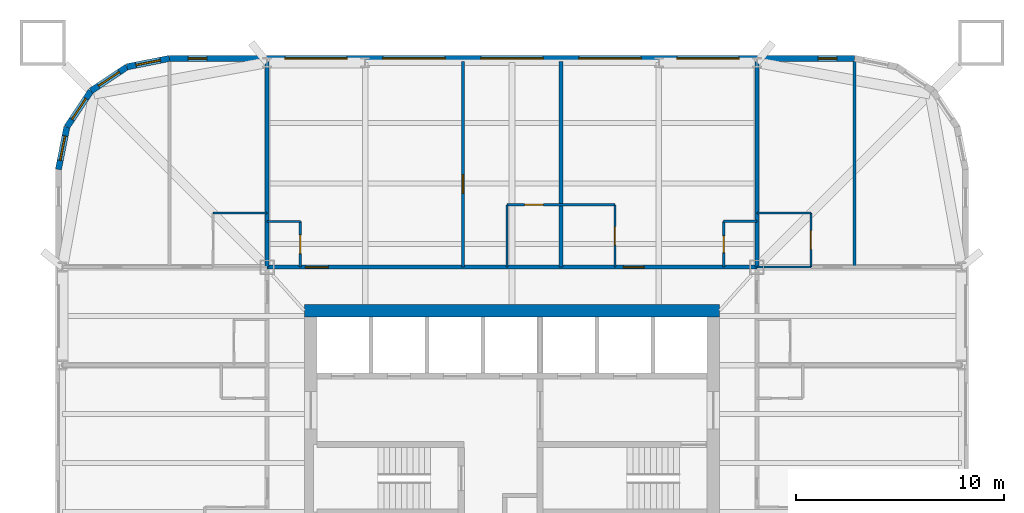
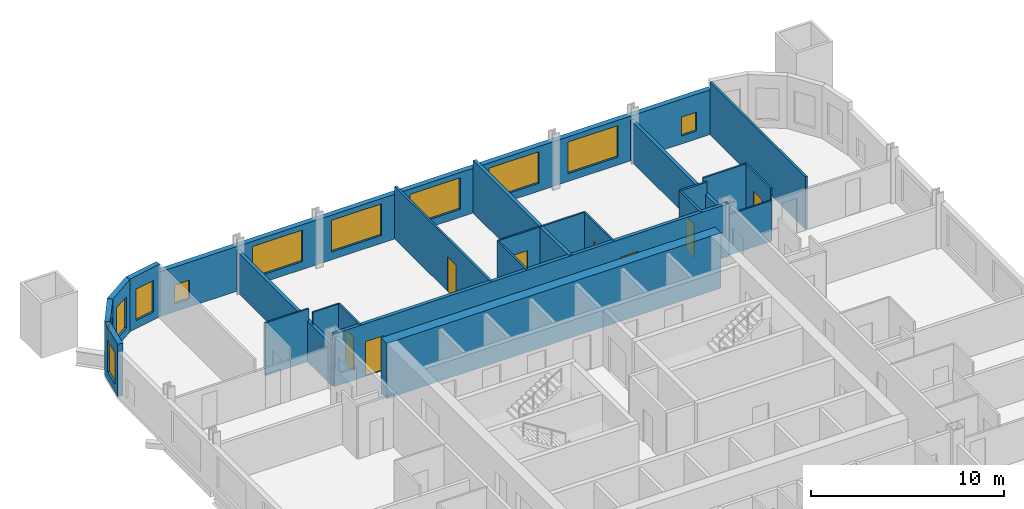
# One storey, part 7 of 9: 23 walls, 11 windows, 8 doors, 19 openings.
"""IFC4 building model written with IfcOpenShell, lengths in metres."""

from ifc_helpers import new_model, si_unit, direction, frame, frame_2d, origin, place, context, subcontext, project, spatial, rectangle, extrude, material, layer, layer_set, type_object, element, fill, save


model = new_model("IFC4")

# Units and contexts
model_context = context("Model", 3, precision=1e-05, world=origin(), true_north=direction((0.0, 1.0)))
body_context = subcontext(model_context, "Body", "Model", "MODEL_VIEW")
ifc_project = project(units=[si_unit("LENGTHUNIT", "METRE"), si_unit("AREAUNIT", "SQUARE_METRE"), si_unit("VOLUMEUNIT", "CUBIC_METRE"), si_unit("PLANEANGLEUNIT", "RADIAN"), si_unit("MASSUNIT", "GRAM", prefix="KILO")], contexts=[model_context])

# Site, building, storey
site_placement = place(None, origin())
site = spatial("IfcSite", under=ifc_project, at=site_placement, CompositionType="ELEMENT")
building_placement = place(site_placement, origin())
building = spatial("IfcBuilding", under=site, at=building_placement, Name="Turquesa Mirador Hotel Tower", CompositionType="ELEMENT")
storey_placement = place(building_placement, frame((0.0, 0.0, 74.0)))
storey = spatial("IfcBuildingStorey", under=building, at=storey_placement, Name="L19", CompositionType="ELEMENT", Elevation=74.0)

# Walls
ifc_material_1 = material(Name="Gypsum board on steel studs", Category="steel")
ifc_layer_1 = layer(ifc_material_1, 0.10009765625)
ifc_layer_set_1 = layer_set([ifc_layer_1], Name="BATHROOM WALL 100")
wall_type_1 = type_object("IfcWallType", Name="BATHROOM WALL 100", PredefinedType="PARTITIONING", material=ifc_layer_set_1)
wall_1_placement = place(storey_placement, frame((66.800048828125, 56.800048828125, 0.0), z_axis=(0.0, 0.0, 1.0), x_axis=(1.0, 0.0, 0.0)))
element("IfcWall", 1, at=wall_1_placement, inside=storey, type_object=wall_type_1, Name="Partition L19 025", PredefinedType="PARTITIONING", context=body_context, shape_type="SweptSolid", body=[
    extrude(rectangle(XDim=2.599853515625, YDim=0.10009765625, at=frame_2d((1.2998046875, 0.0))), origin(), (0.0, 0.0, 1.0), 2.572998046875),
])
wall_2_placement = place(storey_placement, frame((43.199951171875, 59.0, 0.0), z_axis=(0.0, 0.0, 1.0), x_axis=(1.0, 0.0, 0.0)))
element("IfcWall", 2, at=wall_2_placement, inside=storey, type_object=wall_type_1, Name="Partition L19 029", PredefinedType="PARTITIONING", context=body_context, shape_type="SweptSolid", body=[
    extrude(rectangle(XDim=1.60009765625, YDim=0.10009765625, at=frame_2d((0.800048828125, 0.0))), origin(), (0.0, 0.0, 1.0), 3.330078125),
])
for number, where, z_axis, x_axis, name in (
    (3, (40.60009765625, 59.39990234375, 0.0), (0.0, 0.0, 1.0), (1.0, 0.0, 0.0), "Partition L19 031"),
    (4, (66.800048828125, 59.39990234375, 0.0), (0.0, 0.0, 1.0), (1.0, 0.0, 0.0), "Partition L19 032"),
):
    element("IfcWall", number, at=place(storey_placement, frame(where, z_axis=z_axis, x_axis=x_axis)), inside=storey, type_object=wall_type_1, Name=name, PredefinedType="PARTITIONING", context=body_context, shape_type="SweptSolid", body=[
        extrude(rectangle(XDim=2.599853515625, YDim=0.10009765625, at=frame_2d((1.2998046875, 0.0))), origin(), (0.0, 0.0, 1.0), 3.330078125),
    ])

# Wall, opening, door
wall_3_placement = place(storey_placement, frame((54.760009765625, 59.800048828125, 0.0), z_axis=(0.0, 0.0, 1.0), x_axis=(1.0, 0.0, 0.0)))
wall_3 = element("IfcWall", 5, at=wall_3_placement, inside=storey, type_object=wall_type_1, Name="Partition L19 033", PredefinedType="PARTITIONING", context=body_context, shape_type="SweptSolid", body=[
    extrude(rectangle(XDim=5.199951171875, YDim=0.10009765625, at=frame_2d((2.60009765625, 0.0))), origin(), (0.0, 0.0, 1.0), 3.330078125),
])
opening_1_placement = place(wall_3_placement, frame((0.85009765625, 0.0, 0.0)))
opening_1 = element("IfcOpeningElement", 6, at=opening_1_placement, cuts=wall_3, Name="Opening D02", PredefinedType="OPENING", context=body_context, shape_type="SweptSolid", body=[
    extrude(rectangle(XDim=0.89990234375, YDim=2.10009765625, at=frame_2d((0.449951171875, 1.050048828125))), frame((0.0, 0.06005859375, 0.0), z_axis=(0.0, -1.0, 0.0), x_axis=(1.0, 0.0, 0.0)), (0.0, 0.0, 1.0), 0.1201171875),
])
ifc_material_2 = material(Name="Timber veneered door", Category="wood")
door_type_1 = type_object("IfcDoorType", Name="DOOR 900X2100 EN-SUITE", OperationType="SINGLE_SWING_RIGHT", PredefinedType="DOOR", material=ifc_material_2)
door_1_placement = place(opening_1_placement, origin())
door_1 = element("IfcDoor", 7, at=door_1_placement, inside=storey, type_object=door_type_1, Name="Door 1901B", OperationType="SINGLE_SWING_RIGHT", OverallHeight=2.10009765625, OverallWidth=0.89990234375, PredefinedType="DOOR", context=body_context, shape_type="SweptSolid", body=[
    extrude(rectangle(XDim=0.89990234375, YDim=2.10009765625, at=frame_2d((0.449951171875, 1.050048828125))), frame((0.0, 0.02490234375, 0.0), z_axis=(0.0, -1.0, 0.0), x_axis=(1.0, 0.0, 0.0)), (0.0, 0.0, 1.0), 0.050048828125),
])
fill(opening_1, door_1)

# Wall
wall_4_placement = place(storey_placement, frame((54.760009765625, 56.800048828125, 0.0), z_axis=(0.0, 0.0, 1.0), x_axis=(0.0, 1.0, 0.0)))
element("IfcWall", 8, at=wall_4_placement, inside=storey, type_object=wall_type_1, Name="Partition L19 040", PredefinedType="PARTITIONING", context=body_context, shape_type="SweptSolid", body=[
    extrude(rectangle(XDim=3.0, YDim=0.10009765625, at=frame_2d((1.5, 0.0))), origin(), (0.0, 0.0, 1.0), 3.330078125),
])

# Wall, opening, door
wall_5_placement = place(storey_placement, frame((44.800048828125, 56.800048828125, 0.0), z_axis=(0.0, 0.0, 1.0), x_axis=(0.0, 1.0, 0.0)))
wall_5 = element("IfcWall", 9, at=wall_5_placement, inside=storey, type_object=wall_type_1, Name="Partition L19 042", PredefinedType="PARTITIONING", context=body_context, shape_type="SweptSolid", body=[
    extrude(rectangle(XDim=2.199951171875, YDim=0.10009765625, at=frame_2d((1.10009765625, 0.0))), origin(), (0.0, 0.0, 1.0), 3.330078125),
])
opening_2_placement = place(wall_5_placement, frame((0.64990234375, 0.0, 0.0)))
opening_2 = element("IfcOpeningElement", 10, at=opening_2_placement, cuts=wall_5, Name="Opening D06", PredefinedType="OPENING", context=body_context, shape_type="SweptSolid", body=[
    extrude(rectangle(XDim=0.89990234375, YDim=2.10009765625, at=frame_2d((0.449951171875, 1.050048828125))), frame((0.0, 0.06005859375, 0.0), z_axis=(0.0, -1.0, 0.0), x_axis=(1.0, 0.0, 0.0)), (0.0, 0.0, 1.0), 0.1201171875),
])
ifc_material_3 = material(Name="Laminate door", Category="wood")
door_type_2 = type_object("IfcDoorType", Name="DOOR 900X2100 WC", OperationType="SINGLE_SWING_LEFT", PredefinedType="DOOR", material=ifc_material_3)
door_2_placement = place(opening_2_placement, origin())
door_2 = element("IfcDoor", 11, at=door_2_placement, inside=storey, type_object=door_type_2, Name="Door 1901W", OperationType="SINGLE_SWING_LEFT", OverallHeight=2.10009765625, OverallWidth=0.89990234375, PredefinedType="DOOR", context=body_context, shape_type="SweptSolid", body=[
    extrude(rectangle(XDim=0.89990234375, YDim=2.10009765625, at=frame_2d((0.449951171875, 1.050048828125))), frame((0.0, 0.02490234375, 0.0), z_axis=(0.0, -1.0, 0.0), x_axis=(1.0, 0.0, 0.0)), (0.0, 0.0, 1.0), 0.050048828125),
])
fill(opening_2, door_2)

wall_6_placement = place(storey_placement, frame((69.39990234375, 56.800048828125, 0.0), z_axis=(0.0, 0.0, 1.0), x_axis=(0.0, 1.0, 0.0)))
wall_6 = element("IfcWall", 12, at=wall_6_placement, inside=storey, type_object=wall_type_1, Name="Partition L19 068", PredefinedType="PARTITIONING", context=body_context, shape_type="SweptSolid", body=[
    extrude(rectangle(XDim=2.599853515625, YDim=0.10009765625, at=frame_2d((1.2998046875, 0.0))), origin(), (0.0, 0.0, 1.0), 3.330078125),
])
opening_3_placement = place(wall_6_placement, frame((0.85009765625, 0.0, 0.0)))
opening_3 = element("IfcOpeningElement", 13, at=opening_3_placement, cuts=wall_6, Name="Opening D02", PredefinedType="OPENING", context=body_context, shape_type="SweptSolid", body=[
    extrude(rectangle(XDim=0.89990234375, YDim=2.10009765625, at=frame_2d((0.449951171875, 1.050048828125))), frame((0.0, 0.06005859375, 0.0), z_axis=(0.0, -1.0, 0.0), x_axis=(1.0, 0.0, 0.0)), (0.0, 0.0, 1.0), 0.1201171875),
])
door_3_placement = place(opening_3_placement, origin())
door_3 = element("IfcDoor", 14, at=door_3_placement, inside=storey, type_object=door_type_1, Name="Door 1912B", OperationType="SINGLE_SWING_RIGHT", OverallHeight=2.10009765625, OverallWidth=0.89990234375, PredefinedType="DOOR", context=body_context, shape_type="SweptSolid", body=[
    extrude(rectangle(XDim=0.89990234375, YDim=2.10009765625, at=frame_2d((0.449951171875, 1.050048828125))), frame((0.0, 0.02490234375, 0.0), z_axis=(0.0, -1.0, 0.0), x_axis=(1.0, 0.0, 0.0)), (0.0, 0.0, 1.0), 0.050048828125),
])
fill(opening_3, door_3)

wall_7_placement = place(storey_placement, frame((59.9599609375, 56.800048828125, 0.0), z_axis=(0.0, 0.0, 1.0), x_axis=(0.0, 1.0, 0.0)))
wall_7 = element("IfcWall", 15, at=wall_7_placement, inside=storey, type_object=wall_type_1, Name="Partition L19 076", PredefinedType="PARTITIONING", context=body_context, shape_type="SweptSolid", body=[
    extrude(rectangle(XDim=3.0, YDim=0.10009765625, at=frame_2d((1.5, 0.0))), origin(), (0.0, 0.0, 1.0), 3.330078125),
])
opening_4_placement = place(wall_7_placement, frame((1.050048828125, 0.0, 0.0)))
opening_4 = element("IfcOpeningElement", 16, at=opening_4_placement, cuts=wall_7, Name="Opening D02", PredefinedType="OPENING", context=body_context, shape_type="SweptSolid", body=[
    extrude(rectangle(XDim=0.89990234375, YDim=2.10009765625, at=frame_2d((0.449951171875, 1.050048828125))), frame((0.0, 0.06005859375, 0.0), z_axis=(0.0, -1.0, 0.0), x_axis=(1.0, 0.0, 0.0)), (0.0, 0.0, 1.0), 0.1201171875),
])
door_4_placement = place(opening_4_placement, origin())
door_4 = element("IfcDoor", 17, at=door_4_placement, inside=storey, type_object=door_type_1, Name="Door 1902B", OperationType="SINGLE_SWING_RIGHT", OverallHeight=2.10009765625, OverallWidth=0.89990234375, PredefinedType="DOOR", context=body_context, shape_type="SweptSolid", body=[
    extrude(rectangle(XDim=0.89990234375, YDim=2.10009765625, at=frame_2d((0.449951171875, 1.050048828125))), frame((0.0, 0.02490234375, 0.0), z_axis=(0.0, -1.0, 0.0), x_axis=(1.0, 0.0, 0.0)), (0.0, 0.0, 1.0), 0.050048828125),
])
fill(opening_4, door_4)

# Wall
ifc_material_4 = material(Name="Concrete C50/60", Category="concrete")
ifc_layer_2 = layer(ifc_material_4, 0.60009765625)
ifc_layer_set_2 = layer_set([ifc_layer_2], Name="CORE WALL 600")
wall_type_2 = type_object("IfcWallType", Name="CORE WALL 600", PredefinedType="SHEAR", material=ifc_layer_set_2)
wall_8_placement = place(storey_placement, frame((45.0, 54.699951171875, 0.0), z_axis=(0.0, 0.0, 1.0), x_axis=(1.0, 0.0, 0.0)))
element("IfcWall", 18, at=wall_8_placement, inside=storey, type_object=wall_type_2, Name="Core wall N", PredefinedType="SHEAR", context=body_context, shape_type="SweptSolid", body=[
    extrude(rectangle(XDim=20.0, YDim=0.60009765625, at=frame_2d((10.0, 0.0))), origin(), (0.0, 0.0, 1.0), 3.5),
])

# Wall, openings, doors
ifc_material_5 = material(Name="Fire-rated gypsum board on steel studs", Category="steel")
ifc_layer_3 = layer(ifc_material_5, 0.199951171875)
ifc_layer_set_3 = layer_set([ifc_layer_3], Name="CORRIDOR WALL 200")
wall_type_3 = type_object("IfcWallType", Name="CORRIDOR WALL 200", PredefinedType="PARTITIONING", material=ifc_layer_set_3)
wall_9_placement = place(storey_placement, frame((43.199951171875, 56.800048828125, 0.0), z_axis=(0.0, 0.0, 1.0), x_axis=(1.0, 0.0, 0.0)))
wall_9 = element("IfcWall", 19, at=wall_9_placement, inside=storey, type_object=wall_type_3, Name="Partition L19 026", PredefinedType="PARTITIONING", context=body_context, shape_type="SweptSolid", body=[
    extrude(rectangle(XDim=23.60009765625, YDim=0.199951171875, at=frame_2d((11.800048828125, 0.0))), origin(), (0.0, 0.0, 1.0), 3.330078125),
])
opening_5_placement = place(wall_9_placement, frame((1.85009765625, 0.0, 0.0)))
opening_5 = element("IfcOpeningElement", 20, at=opening_5_placement, cuts=wall_9, Name="Opening D15", PredefinedType="OPENING", context=body_context, shape_type="SweptSolid", body=[
    extrude(rectangle(XDim=1.10009765625, YDim=2.199951171875, at=frame_2d((0.550048828125, 1.10009765625))), frame((0.0, 0.10986328125, 0.0), z_axis=(0.0, -1.0, 0.0), x_axis=(1.0, 0.0, 0.0)), (0.0, 0.0, 1.0), 0.219970703125),
])
opening_6_placement = place(wall_9_placement, frame((17.159912109375, 0.0, 0.0)))
opening_6 = element("IfcOpeningElement", 21, at=opening_6_placement, cuts=wall_9, Name="Opening D01", PredefinedType="OPENING", context=body_context, shape_type="SweptSolid", body=[
    extrude(rectangle(XDim=1.0, YDim=2.199951171875, at=frame_2d((0.5, 1.10009765625))), frame((0.0, 0.10986328125, 0.0), z_axis=(0.0, -1.0, 0.0), x_axis=(1.0, 0.0, 0.0)), (0.0, 0.0, 1.0), 0.219970703125),
])
ifc_material_6 = material(Name="Timber veneered fire door", Category="wood")
door_type_3 = type_object("IfcDoorType", Name="DOOR 1000X2200 GUEST ENTRY", OperationType="SINGLE_SWING_LEFT", PredefinedType="DOOR", material=ifc_material_6)
door_5_placement = place(opening_6_placement, origin())
door_5 = element("IfcDoor", 22, at=door_5_placement, inside=storey, type_object=door_type_3, Name="Door 1902", OperationType="SINGLE_SWING_LEFT", OverallHeight=2.199951171875, OverallWidth=1.0, PredefinedType="DOOR", context=body_context, shape_type="SweptSolid", body=[
    extrude(rectangle(XDim=1.0, YDim=2.199951171875, at=frame_2d((0.5, 1.10009765625))), frame((0.0, 0.02490234375, 0.0), z_axis=(0.0, -1.0, 0.0), x_axis=(1.0, 0.0, 0.0)), (0.0, 0.0, 1.0), 0.050048828125),
])
fill(opening_6, door_5)
ifc_material_7 = material(Name="Timber veneered fire door", Category="wood")
door_type_4 = type_object("IfcDoorType", Name="DOOR 1100X2200 SUITE ENTRY", OperationType="SINGLE_SWING_LEFT", PredefinedType="DOOR", material=ifc_material_7)
door_6_placement = place(opening_5_placement, origin())
door_6 = element("IfcDoor", 23, at=door_6_placement, inside=storey, type_object=door_type_4, Name="Door 1901", OperationType="SINGLE_SWING_LEFT", OverallHeight=2.199951171875, OverallWidth=1.10009765625, PredefinedType="DOOR", context=body_context, shape_type="SweptSolid", body=[
    extrude(rectangle(XDim=1.10009765625, YDim=2.199951171875, at=frame_2d((0.550048828125, 1.10009765625))), frame((0.0, 0.02490234375, 0.0), z_axis=(0.0, -1.0, 0.0), x_axis=(1.0, 0.0, 0.0)), (0.0, 0.0, 1.0), 0.050048828125),
])
fill(opening_5, door_6)

# Wall, openings, windows
ifc_material_8 = material(Name="Limestone cladding on concrete block", Category="masonry")
ifc_layer_4 = layer(ifc_material_8, 0.300048828125)
ifc_layer_set_4 = layer_set([ifc_layer_4], Name="FACADE WALL 300 STONE SCREEN")
wall_type_4 = type_object("IfcWallType", Name="FACADE WALL 300 STONE SCREEN", PredefinedType="SOLIDWALL", material=ifc_layer_set_4)
wall_10_placement = place(storey_placement, frame((71.5, 66.85009765625, 0.0), z_axis=(0.0, 0.0, 1.0), x_axis=(-1.0, 0.0, 0.0)))
wall_10 = element("IfcWall", 24, at=wall_10_placement, inside=storey, type_object=wall_type_4, Name="Facade wall L19 09", PredefinedType="SOLIDWALL", context=body_context, shape_type="SweptSolid", body=[
    extrude(rectangle(XDim=33.0, YDim=0.300048828125, at=frame_2d((16.5, 0.0))), origin(), (0.0, 0.0, 1.0), 2.830078125),
])
opening_7_placement = place(wall_10_placement, frame((0.85009765625, 0.0, 0.5)))
opening_7 = element("IfcOpeningElement", 25, at=opening_7_placement, cuts=wall_10, Name="Opening WN36", PredefinedType="OPENING", context=body_context, shape_type="SweptSolid", body=[
    extrude(rectangle(XDim=0.89990234375, YDim=1.199951171875, at=frame_2d((0.449951171875, 0.60009765625))), frame((0.0, 0.159912109375, 0.0), z_axis=(0.0, -1.0, 0.0), x_axis=(1.0, 0.0, 0.0)), (0.0, 0.0, 1.0), 0.320068359375),
])
opening_8_placement = place(wall_10_placement, frame((5.56005859375, 0.0, 0.5)))
opening_8 = element("IfcOpeningElement", 26, at=opening_8_placement, cuts=wall_10, Name="Opening WN1", PredefinedType="OPENING", context=body_context, shape_type="SweptSolid", body=[
    extrude(rectangle(XDim=3.0, YDim=2.0, at=frame_2d((1.5, 1.0))), frame((0.0, 0.159912109375, 0.0), z_axis=(0.0, -1.0, 0.0), x_axis=(1.0, 0.0, 0.0)), (0.0, 0.0, 1.0), 0.320068359375),
])
opening_9_placement = place(wall_10_placement, frame((10.280029296875, 0.0, 0.5)))
opening_9 = element("IfcOpeningElement", 27, at=opening_9_placement, cuts=wall_10, Name="Opening WN1", PredefinedType="OPENING", context=body_context, shape_type="SweptSolid", body=[
    extrude(rectangle(XDim=3.0, YDim=2.0, at=frame_2d((1.5, 1.0))), frame((0.0, 0.159912109375, 0.0), z_axis=(0.0, -1.0, 0.0), x_axis=(1.0, 0.0, 0.0)), (0.0, 0.0, 1.0), 0.320068359375),
])
opening_10_placement = place(wall_10_placement, frame((15.0, 0.0, 0.5)))
opening_10 = element("IfcOpeningElement", 28, at=opening_10_placement, cuts=wall_10, Name="Opening WN1", PredefinedType="OPENING", context=body_context, shape_type="SweptSolid", body=[
    extrude(rectangle(XDim=3.0, YDim=2.0, at=frame_2d((1.5, 1.0))), frame((0.0, 0.159912109375, 0.0), z_axis=(0.0, -1.0, 0.0), x_axis=(1.0, 0.0, 0.0)), (0.0, 0.0, 1.0), 0.320068359375),
])
opening_11_placement = place(wall_10_placement, frame((19.719970703125, 0.0, 0.5)))
opening_11 = element("IfcOpeningElement", 29, at=opening_11_placement, cuts=wall_10, Name="Opening WN1", PredefinedType="OPENING", context=body_context, shape_type="SweptSolid", body=[
    extrude(rectangle(XDim=3.0, YDim=2.0, at=frame_2d((1.5, 1.0))), frame((0.0, 0.159912109375, 0.0), z_axis=(0.0, -1.0, 0.0), x_axis=(1.0, 0.0, 0.0)), (0.0, 0.0, 1.0), 0.320068359375),
])
opening_12_placement = place(wall_10_placement, frame((24.43994140625, 0.0, 0.5)))
opening_12 = element("IfcOpeningElement", 30, at=opening_12_placement, cuts=wall_10, Name="Opening WN1", PredefinedType="OPENING", context=body_context, shape_type="SweptSolid", body=[
    extrude(rectangle(XDim=3.0, YDim=2.0, at=frame_2d((1.5, 1.0))), frame((0.0, 0.159912109375, 0.0), z_axis=(0.0, -1.0, 0.0), x_axis=(1.0, 0.0, 0.0)), (0.0, 0.0, 1.0), 0.320068359375),
])
opening_13_placement = place(wall_10_placement, frame((31.199951171875, 0.0, 0.5)))
opening_13 = element("IfcOpeningElement", 31, at=opening_13_placement, cuts=wall_10, Name="Opening WN36", PredefinedType="OPENING", context=body_context, shape_type="SweptSolid", body=[
    extrude(rectangle(XDim=0.89990234375, YDim=1.199951171875, at=frame_2d((0.449951171875, 0.60009765625))), frame((0.0, 0.159912109375, 0.0), z_axis=(0.0, -1.0, 0.0), x_axis=(1.0, 0.0, 0.0)), (0.0, 0.0, 1.0), 0.320068359375),
])
ifc_material_9 = material(Name="Ceramic-fritted laminated glass", Category="glass")
window_type_1 = type_object("IfcWindowType", Name="FRITTED WINDOW 3000X2000", PartitioningType="DOUBLE_PANEL_HORIZONTAL", PredefinedType="WINDOW", material=ifc_material_9)
window_1_placement = place(opening_8_placement, origin())
window_1 = element("IfcWindow", 32, at=window_1_placement, inside=storey, type_object=window_type_1, Name="Window L19", OverallHeight=2.0, OverallWidth=3.0, PartitioningType="SINGLE_PANEL", PredefinedType="WINDOW", context=body_context, shape_type="SweptSolid", body=[
    extrude(rectangle(XDim=3.0, YDim=2.0, at=frame_2d((1.5, 1.0))), frame((0.0, 0.030029296875, 0.0), z_axis=(0.0, -1.0, 0.0), x_axis=(1.0, 0.0, 0.0)), (0.0, 0.0, 1.0), 0.06005859375),
])
fill(opening_8, window_1)
window_2_placement = place(opening_9_placement, origin())
window_2 = element("IfcWindow", 33, at=window_2_placement, inside=storey, type_object=window_type_1, Name="Window L19", OverallHeight=2.0, OverallWidth=3.0, PartitioningType="SINGLE_PANEL", PredefinedType="WINDOW", context=body_context, shape_type="SweptSolid", body=[
    extrude(rectangle(XDim=3.0, YDim=2.0, at=frame_2d((1.5, 1.0))), frame((0.0, 0.030029296875, 0.0), z_axis=(0.0, -1.0, 0.0), x_axis=(1.0, 0.0, 0.0)), (0.0, 0.0, 1.0), 0.06005859375),
])
fill(opening_9, window_2)
window_3_placement = place(opening_10_placement, origin())
window_3 = element("IfcWindow", 34, at=window_3_placement, inside=storey, type_object=window_type_1, Name="Window L19", OverallHeight=2.0, OverallWidth=3.0, PartitioningType="SINGLE_PANEL", PredefinedType="WINDOW", context=body_context, shape_type="SweptSolid", body=[
    extrude(rectangle(XDim=3.0, YDim=2.0, at=frame_2d((1.5, 1.0))), frame((0.0, 0.030029296875, 0.0), z_axis=(0.0, -1.0, 0.0), x_axis=(1.0, 0.0, 0.0)), (0.0, 0.0, 1.0), 0.06005859375),
])
fill(opening_10, window_3)
window_4_placement = place(opening_11_placement, origin())
window_4 = element("IfcWindow", 35, at=window_4_placement, inside=storey, type_object=window_type_1, Name="Window L19", OverallHeight=2.0, OverallWidth=3.0, PartitioningType="SINGLE_PANEL", PredefinedType="WINDOW", context=body_context, shape_type="SweptSolid", body=[
    extrude(rectangle(XDim=3.0, YDim=2.0, at=frame_2d((1.5, 1.0))), frame((0.0, 0.030029296875, 0.0), z_axis=(0.0, -1.0, 0.0), x_axis=(1.0, 0.0, 0.0)), (0.0, 0.0, 1.0), 0.06005859375),
])
fill(opening_11, window_4)
window_5_placement = place(opening_12_placement, origin())
window_5 = element("IfcWindow", 36, at=window_5_placement, inside=storey, type_object=window_type_1, Name="Window L19", OverallHeight=2.0, OverallWidth=3.0, PartitioningType="SINGLE_PANEL", PredefinedType="WINDOW", context=body_context, shape_type="SweptSolid", body=[
    extrude(rectangle(XDim=3.0, YDim=2.0, at=frame_2d((1.5, 1.0))), frame((0.0, 0.030029296875, 0.0), z_axis=(0.0, -1.0, 0.0), x_axis=(1.0, 0.0, 0.0)), (0.0, 0.0, 1.0), 0.06005859375),
])
fill(opening_12, window_5)
ifc_material_10 = material(Name="Ceramic-fritted laminated glass", Category="glass")
window_type_2 = type_object("IfcWindowType", Name="FRITTED WINDOW 900X1200", PartitioningType="DOUBLE_PANEL_HORIZONTAL", PredefinedType="WINDOW", material=ifc_material_10)
window_6_placement = place(opening_7_placement, origin())
window_6 = element("IfcWindow", 37, at=window_6_placement, inside=storey, type_object=window_type_2, Name="Window L19", OverallHeight=1.199951171875, OverallWidth=0.89990234375, PartitioningType="SINGLE_PANEL", PredefinedType="WINDOW", context=body_context, shape_type="SweptSolid", body=[
    extrude(rectangle(XDim=0.89990234375, YDim=1.199951171875, at=frame_2d((0.449951171875, 0.60009765625))), frame((0.0, 0.030029296875, 0.0), z_axis=(0.0, -1.0, 0.0), x_axis=(1.0, 0.0, 0.0)), (0.0, 0.0, 1.0), 0.06005859375),
])
fill(opening_7, window_6)
window_7_placement = place(opening_13_placement, origin())
window_7 = element("IfcWindow", 38, at=window_7_placement, inside=storey, type_object=window_type_2, Name="Window L19", OverallHeight=1.199951171875, OverallWidth=0.89990234375, PartitioningType="SINGLE_PANEL", PredefinedType="WINDOW", context=body_context, shape_type="SweptSolid", body=[
    extrude(rectangle(XDim=0.89990234375, YDim=1.199951171875, at=frame_2d((0.449951171875, 0.60009765625))), frame((0.0, 0.030029296875, 0.0), z_axis=(0.0, -1.0, 0.0), x_axis=(1.0, 0.0, 0.0)), (0.0, 0.0, 1.0), 0.06005859375),
])
fill(opening_13, window_7)

# Wall, opening, window
wall_11_placement = place(storey_placement, frame((38.5, 66.85009765625, 0.0), z_axis=(0.0, 0.0, 1.0), x_axis=(-0.980787050784, -0.195081421501, 0.0)))
wall_11 = element("IfcWall", 39, at=wall_11_placement, inside=storey, type_object=wall_type_4, Name="Facade wall L19 10", PredefinedType="SOLIDWALL", context=body_context, shape_type="SweptSolid", body=[
    extrude(rectangle(XDim=2.08740234375, YDim=0.300048828125, at=frame_2d((1.043701171875, 0.0))), origin(), (0.0, 0.0, 1.0), 3.330078125),
])
opening_14_placement = place(wall_11_placement, frame((0.443603515625, 0.0, 0.5)))
opening_14 = element("IfcOpeningElement", 40, at=opening_14_placement, cuts=wall_11, Name="Opening WN4", PredefinedType="OPENING", context=body_context, shape_type="SweptSolid", body=[
    extrude(rectangle(XDim=1.199951171875, YDim=2.0, at=frame_2d((0.60009765625, 1.0))), frame((0.0, 0.159912109375, 0.0), z_axis=(0.0, -1.0, 0.0), x_axis=(1.0, 0.0, 0.0)), (0.0, 0.0, 1.0), 0.320068359375),
])
ifc_material_11 = material(Name="Ceramic-fritted laminated glass", Category="glass")
window_type_3 = type_object("IfcWindowType", Name="FRITTED CORNER WINDOW 1200X2000", PartitioningType="DOUBLE_PANEL_HORIZONTAL", PredefinedType="WINDOW", material=ifc_material_11)
window_8_placement = place(opening_14_placement, origin())
window_8 = element("IfcWindow", 41, at=window_8_placement, inside=storey, type_object=window_type_3, Name="Window L19", OverallHeight=2.0, OverallWidth=1.199951171875, PartitioningType="SINGLE_PANEL", PredefinedType="WINDOW", context=body_context, shape_type="SweptSolid", body=[
    extrude(rectangle(XDim=1.199951171875, YDim=2.0, at=frame_2d((0.60009765625, 1.0))), frame((0.0, 0.030029296875, 0.0), z_axis=(0.0, -1.0, 0.0), x_axis=(1.0, 0.0, 0.0)), (0.0, 0.0, 1.0), 0.06005859375),
])
fill(opening_14, window_8)

wall_12_placement = place(storey_placement, frame((36.45263671875, 66.44287109375, 0.0), z_axis=(0.0, 0.0, 1.0), x_axis=(-0.831420010345, -0.555644460423, 0.0)))
wall_12 = element("IfcWall", 42, at=wall_12_placement, inside=storey, type_object=wall_type_4, Name="Facade wall L19 11", PredefinedType="SOLIDWALL", context=body_context, shape_type="SweptSolid", body=[
    extrude(rectangle(XDim=2.08740234375, YDim=0.300048828125, at=frame_2d((1.043701171875, 0.0))), origin(), (0.0, 0.0, 1.0), 3.330078125),
])
opening_15_placement = place(wall_12_placement, frame((0.443603515625, 0.0, 0.5)))
opening_15 = element("IfcOpeningElement", 43, at=opening_15_placement, cuts=wall_12, Name="Opening WN4", PredefinedType="OPENING", context=body_context, shape_type="SweptSolid", body=[
    extrude(rectangle(XDim=1.199951171875, YDim=2.0, at=frame_2d((0.60009765625, 1.0))), frame((0.0, 0.159912109375, 0.0), z_axis=(0.0, -1.0, 0.0), x_axis=(1.0, 0.0, 0.0)), (0.0, 0.0, 1.0), 0.320068359375),
])
window_9_placement = place(opening_15_placement, origin())
window_9 = element("IfcWindow", 44, at=window_9_placement, inside=storey, type_object=window_type_3, Name="Window L19", OverallHeight=2.0, OverallWidth=1.199951171875, PartitioningType="SINGLE_PANEL", PredefinedType="WINDOW", context=body_context, shape_type="SweptSolid", body=[
    extrude(rectangle(XDim=1.199951171875, YDim=2.0, at=frame_2d((0.60009765625, 1.0))), frame((0.0, 0.030029296875, 0.0), z_axis=(0.0, -1.0, 0.0), x_axis=(1.0, 0.0, 0.0)), (0.0, 0.0, 1.0), 0.06005859375),
])
fill(opening_15, window_9)

wall_13_placement = place(storey_placement, frame((34.717041015625, 65.282958984375, 0.0), z_axis=(0.0, 0.0, 1.0), x_axis=(-0.555644460423, -0.831420010345, 0.0)))
wall_13 = element("IfcWall", 45, at=wall_13_placement, inside=storey, type_object=wall_type_4, Name="Facade wall L19 12", PredefinedType="SOLIDWALL", context=body_context, shape_type="SweptSolid", body=[
    extrude(rectangle(XDim=2.08740234375, YDim=0.300048828125, at=frame_2d((1.043701171875, 0.0))), origin(), (0.0, 0.0, 1.0), 3.330078125),
])
opening_16_placement = place(wall_13_placement, frame((0.443603515625, 0.0, 0.5)))
opening_16 = element("IfcOpeningElement", 46, at=opening_16_placement, cuts=wall_13, Name="Opening WN4", PredefinedType="OPENING", context=body_context, shape_type="SweptSolid", body=[
    extrude(rectangle(XDim=1.199951171875, YDim=2.0, at=frame_2d((0.60009765625, 1.0))), frame((0.0, 0.159912109375, 0.0), z_axis=(0.0, -1.0, 0.0), x_axis=(1.0, 0.0, 0.0)), (0.0, 0.0, 1.0), 0.320068359375),
])
window_10_placement = place(opening_16_placement, origin())
window_10 = element("IfcWindow", 47, at=window_10_placement, inside=storey, type_object=window_type_3, Name="Window L19", OverallHeight=2.0, OverallWidth=1.199951171875, PartitioningType="SINGLE_PANEL", PredefinedType="WINDOW", context=body_context, shape_type="SweptSolid", body=[
    extrude(rectangle(XDim=1.199951171875, YDim=2.0, at=frame_2d((0.60009765625, 1.0))), frame((0.0, 0.030029296875, 0.0), z_axis=(0.0, -1.0, 0.0), x_axis=(1.0, 0.0, 0.0)), (0.0, 0.0, 1.0), 0.06005859375),
])
fill(opening_16, window_10)

wall_14_placement = place(storey_placement, frame((33.55712890625, 63.54736328125, 0.0), z_axis=(0.0, 0.0, 1.0), x_axis=(-0.195081421501, -0.980787050784, 0.0)))
wall_14 = element("IfcWall", 48, at=wall_14_placement, inside=storey, type_object=wall_type_4, Name="Facade wall L19 13", PredefinedType="SOLIDWALL", context=body_context, shape_type="SweptSolid", body=[
    extrude(rectangle(XDim=2.08740234375, YDim=0.300048828125, at=frame_2d((1.043701171875, 0.0))), origin(), (0.0, 0.0, 1.0), 3.330078125),
])
opening_17_placement = place(wall_14_placement, frame((0.443603515625, 0.0, 0.5)))
opening_17 = element("IfcOpeningElement", 49, at=opening_17_placement, cuts=wall_14, Name="Opening WN4", PredefinedType="OPENING", context=body_context, shape_type="SweptSolid", body=[
    extrude(rectangle(XDim=1.199951171875, YDim=2.0, at=frame_2d((0.60009765625, 1.0))), frame((0.0, 0.159912109375, 0.0), z_axis=(0.0, -1.0, 0.0), x_axis=(1.0, 0.0, 0.0)), (0.0, 0.0, 1.0), 0.320068359375),
])
window_11_placement = place(opening_17_placement, origin())
window_11 = element("IfcWindow", 50, at=window_11_placement, inside=storey, type_object=window_type_3, Name="Window L19", OverallHeight=2.0, OverallWidth=1.199951171875, PartitioningType="SINGLE_PANEL", PredefinedType="WINDOW", context=body_context, shape_type="SweptSolid", body=[
    extrude(rectangle(XDim=1.199951171875, YDim=2.0, at=frame_2d((0.60009765625, 1.0))), frame((0.0, 0.030029296875, 0.0), z_axis=(0.0, -1.0, 0.0), x_axis=(1.0, 0.0, 0.0)), (0.0, 0.0, 1.0), 0.06005859375),
])
fill(opening_17, window_11)

# Walls
ifc_material_12 = material(Name="Fire-rated gypsum board on steel studs", Category="steel")
ifc_layer_5 = layer(ifc_material_12, 0.199951171875)
ifc_layer_set_5 = layer_set([ifc_layer_5], Name="PARTY WALL 200")
wall_type_5 = type_object("IfcWallType", Name="PARTY WALL 200", PredefinedType="PARTITIONING", material=ifc_layer_set_5)
for number, where, z_axis, x_axis, name in (
    (51, (43.199951171875, 56.800048828125, 0.0), (0.0, 0.0, 1.0), (0.0, 1.0, 0.0), "Partition L19 045"),
    (52, (66.800048828125, 56.800048828125, 0.0), (0.0, 0.0, 1.0), (0.0, 1.0, 0.0), "Partition L19 063"),
):
    element("IfcWall", number, at=place(storey_placement, frame(where, z_axis=z_axis, x_axis=x_axis)), inside=storey, type_object=wall_type_5, Name=name, PredefinedType="PARTITIONING", context=body_context, shape_type="SweptSolid", body=[
        extrude(rectangle(XDim=9.89990234375, YDim=0.199951171875, at=frame_2d((4.949951171875, 0.0))), origin(), (0.0, 0.0, 1.0), 2.572998046875),
    ])
wall_15_placement = place(storey_placement, frame((57.360107421875, 56.800048828125, 0.0), z_axis=(0.0, 0.0, 1.0), x_axis=(0.0, 1.0, 0.0)))
element("IfcWall", 53, at=wall_15_placement, inside=storey, type_object=wall_type_5, Name="Partition L19 074", PredefinedType="PARTITIONING", context=body_context, shape_type="SweptSolid", body=[
    extrude(rectangle(XDim=9.89990234375, YDim=0.199951171875, at=frame_2d((4.949951171875, 0.0))), origin(), (0.0, 0.0, 1.0), 3.330078125),
])
ifc_material_13 = material(Name="Acoustic gypsum board on steel studs", Category="steel")
ifc_layer_6 = layer(ifc_material_13, 0.125)
ifc_layer_set_6 = layer_set([ifc_layer_6], Name="SUITE PARTITION 125")
wall_type_6 = type_object("IfcWallType", Name="SUITE PARTITION 125", PredefinedType="PARTITIONING", material=ifc_layer_set_6)
wall_16_placement = place(storey_placement, frame((65.199951171875, 59.0, 0.0), z_axis=(0.0, 0.0, 1.0), x_axis=(1.0, 0.0, 0.0)))
element("IfcWall", 54, at=wall_16_placement, inside=storey, type_object=wall_type_6, Name="Partition L19 030", PredefinedType="PARTITIONING", context=body_context, shape_type="SweptSolid", body=[
    extrude(rectangle(XDim=1.60009765625, YDim=0.125, at=frame_2d((0.800048828125, 0.0))), origin(), (0.0, 0.0, 1.0), 3.330078125),
])

# Wall, opening, door
wall_17_placement = place(storey_placement, frame((52.639892578125, 56.800048828125, 0.0), z_axis=(0.0, 0.0, 1.0), x_axis=(0.0, 1.0, 0.0)))
wall_17 = element("IfcWall", 55, at=wall_17_placement, inside=storey, type_object=wall_type_6, Name="Partition L19 055", PredefinedType="PARTITIONING", context=body_context, shape_type="SweptSolid", body=[
    extrude(rectangle(XDim=9.89990234375, YDim=0.125, at=frame_2d((4.949951171875, 0.0))), origin(), (0.0, 0.0, 1.0), 3.330078125),
])
opening_18_placement = place(wall_17_placement, frame((3.550048828125, 0.0, 0.0)))
opening_18 = element("IfcOpeningElement", 56, at=opening_18_placement, cuts=wall_17, Name="Opening D17", PredefinedType="OPENING", context=body_context, shape_type="SweptSolid", body=[
    extrude(rectangle(XDim=0.89990234375, YDim=2.199951171875, at=frame_2d((0.449951171875, 1.10009765625))), frame((0.0, 0.072509765625, 0.0), z_axis=(0.0, -1.0, 0.0), x_axis=(1.0, 0.0, 0.0)), (0.0, 0.0, 1.0), 0.14501953125),
])
ifc_material_14 = material(Name="Timber veneered door", Category="wood")
door_type_5 = type_object("IfcDoorType", Name="DOOR 900X2200 SUITE INTERNAL", OperationType="SINGLE_SWING_LEFT", PredefinedType="DOOR", material=ifc_material_14)
door_7_placement = place(opening_18_placement, origin())
door_7 = element("IfcDoor", 57, at=door_7_placement, inside=storey, type_object=door_type_5, Name="Door 1901R", OperationType="SINGLE_SWING_LEFT", OverallHeight=2.199951171875, OverallWidth=0.89990234375, PredefinedType="DOOR", context=body_context, shape_type="SweptSolid", body=[
    extrude(rectangle(XDim=0.89990234375, YDim=2.199951171875, at=frame_2d((0.449951171875, 1.10009765625))), frame((0.0, 0.02490234375, 0.0), z_axis=(0.0, -1.0, 0.0), x_axis=(1.0, 0.0, 0.0)), (0.0, 0.0, 1.0), 0.050048828125),
])
fill(opening_18, door_7)

wall_18_placement = place(storey_placement, frame((65.199951171875, 56.800048828125, 0.0), z_axis=(0.0, 0.0, 1.0), x_axis=(0.0, 1.0, 0.0)))
wall_18 = element("IfcWall", 58, at=wall_18_placement, inside=storey, type_object=wall_type_6, Name="Partition L19 060", PredefinedType="PARTITIONING", context=body_context, shape_type="SweptSolid", body=[
    extrude(rectangle(XDim=2.199951171875, YDim=0.125, at=frame_2d((1.10009765625, 0.0))), origin(), (0.0, 0.0, 1.0), 3.330078125),
])
opening_19_placement = place(wall_18_placement, frame((0.699951171875, 0.0, 0.0)))
opening_19 = element("IfcOpeningElement", 59, at=opening_19_placement, cuts=wall_18, Name="Opening D20", PredefinedType="OPENING", context=body_context, shape_type="SweptSolid", body=[
    extrude(rectangle(XDim=0.800048828125, YDim=2.10009765625, at=frame_2d((0.39990234375, 1.050048828125))), frame((0.0, 0.072509765625, 0.0), z_axis=(0.0, -1.0, 0.0), x_axis=(1.0, 0.0, 0.0)), (0.0, 0.0, 1.0), 0.14501953125),
])
ifc_material_15 = material(Name="Timber veneered sliding door", Category="wood")
door_type_6 = type_object("IfcDoorType", Name="DOOR 800X2100 WARDROBE", OperationType="SLIDING_TO_LEFT", PredefinedType="DOOR", material=ifc_material_15)
door_8_placement = place(opening_19_placement, origin())
door_8 = element("IfcDoor", 60, at=door_8_placement, inside=storey, type_object=door_type_6, Name="Door 1902W", OperationType="SLIDING_TO_LEFT", OverallHeight=2.10009765625, OverallWidth=0.800048828125, PredefinedType="DOOR", context=body_context, shape_type="SweptSolid", body=[
    extrude(rectangle(XDim=0.800048828125, YDim=2.10009765625, at=frame_2d((0.39990234375, 1.050048828125))), frame((0.0, 0.02490234375, 0.0), z_axis=(0.0, -1.0, 0.0), x_axis=(1.0, 0.0, 0.0)), (0.0, 0.0, 1.0), 0.050048828125),
])
fill(opening_19, door_8)

# Wall
wall_19_placement = place(storey_placement, frame((71.5, 56.800048828125, 0.0), z_axis=(0.0, 0.0, 1.0), x_axis=(0.0, 1.0, 0.0)))
element("IfcWall", 61, at=wall_19_placement, inside=storey, type_object=wall_type_6, Name="Partition L19 072", PredefinedType="PARTITIONING", context=body_context, shape_type="SweptSolid", body=[
    extrude(rectangle(XDim=9.89404296875, YDim=0.125, at=frame_2d((4.947021484375, 0.0))), origin(), (0.0, 0.0, 1.0), 3.330078125),
])

save(model, "model.ifc")
